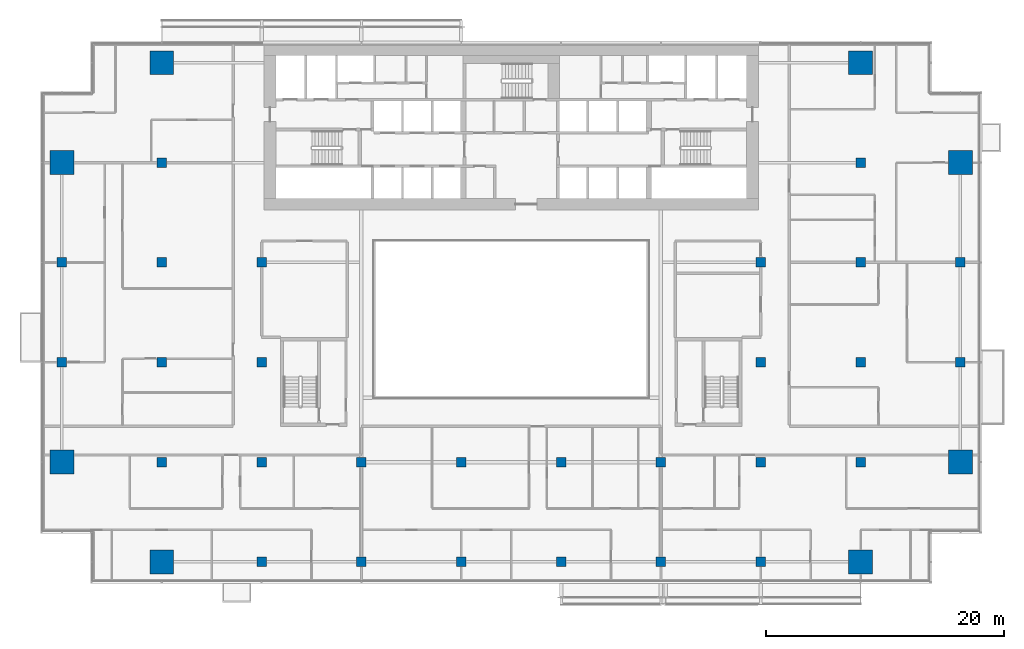
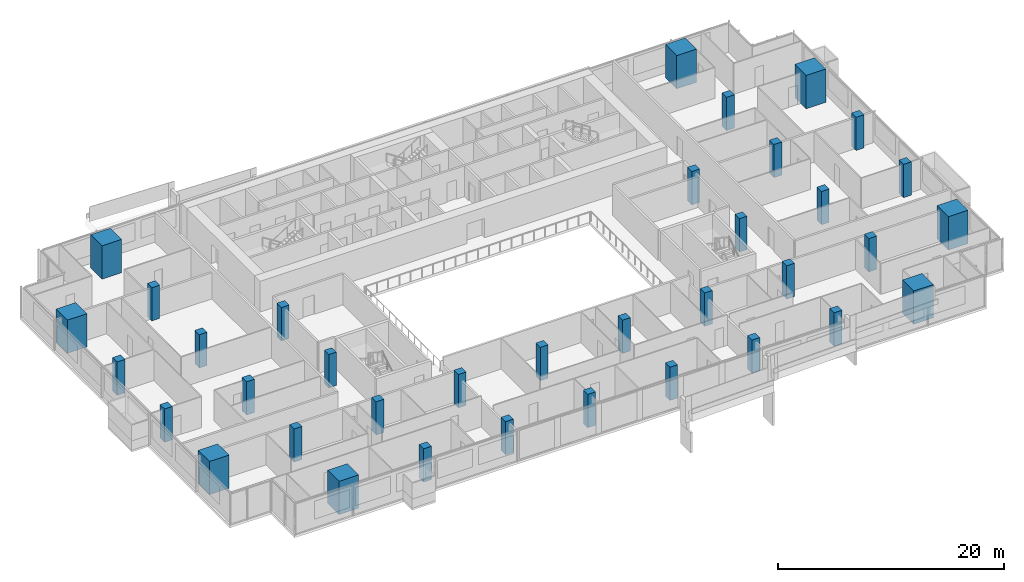
# One storey, part 1 of 27: 36 columns.
"""IFC4 building model written with IfcOpenShell, lengths in metres."""

from ifc_helpers import new_model, si_unit, direction, frame, origin, origin_2d, place, context, subcontext, project, spatial, rectangle, extrude, material, material_profile, profile_set, type_object, element, save


model = new_model("IFC4")

# Units and contexts
model_context = context("Model", 3, precision=1e-05, world=origin(), true_north=direction((0.0, 1.0)))
body_context = subcontext(model_context, "Body", "Model", "MODEL_VIEW")
ifc_project = project(units=[si_unit("LENGTHUNIT", "METRE"), si_unit("AREAUNIT", "SQUARE_METRE"), si_unit("VOLUMEUNIT", "CUBIC_METRE"), si_unit("PLANEANGLEUNIT", "RADIAN"), si_unit("MASSUNIT", "GRAM", prefix="KILO")], contexts=[model_context])

# Site, building, storey
site_placement = place(None, origin())
site = spatial("IfcSite", under=ifc_project, at=site_placement, CompositionType="ELEMENT")
building_placement = place(site_placement, origin())
building = spatial("IfcBuilding", under=site, at=building_placement, Name="Saffron Gate Tower", CompositionType="ELEMENT")
storey_placement = place(building_placement, frame((0.0, 0.0, 124.050048828125)))
storey = spatial("IfcBuildingStorey", under=building, at=storey_placement, Name="L29", CompositionType="ELEMENT", Elevation=124.050048828125)

# Columns
ifc_material_1 = material(Name="Concrete C60", Category="concrete")
ifc_material_profile_1 = material_profile(ifc_material_1, rectangle(XDim=0.800048828125, YDim=0.800048828125, at=origin_2d()))
ifc_profile_set_1 = profile_set([ifc_material_profile_1], Name="Concrete C60")
column_type_1 = type_object("IfcColumnType", Name="C5 RC 800x800 CONCRETE C60", PredefinedType="COLUMN", material=ifc_profile_set_1)
for number, where, z_axis, x_axis, name in (
    (1, (49.800048828125, 48.60009765625, 0.0), (0.0, 0.0, 1.0), (1.0, 0.0, 0.0), "C5 COLUMN X1-C"),
    (2, (49.800048828125, 57.0, 0.0), (0.0, 0.0, 1.0), (1.0, 0.0, 0.0), "C5 COLUMN X1-D"),
    (3, (58.199951171875, 40.199951171875, 0.0), (0.0, 0.0, 1.0), (1.0, 0.0, 0.0), "C5 COLUMN X2-B"),
    (4, (58.199951171875, 48.60009765625, 0.0), (0.0, 0.0, 1.0), (1.0, 0.0, 0.0), "C5 COLUMN X2-C"),
    (5, (58.199951171875, 57.0, 0.0), (0.0, 0.0, 1.0), (1.0, 0.0, 0.0), "C5 COLUMN X2-D"),
    (6, (58.199951171875, 65.39990234375, 0.0), (0.0, 0.0, 1.0), (1.0, 0.0, 0.0), "C5 COLUMN X2-E"),
    (7, (66.60009765625, 31.800048828125, 0.0), (0.0, 0.0, 1.0), (1.0, 0.0, 0.0), "C5 COLUMN X3-A"),
    (8, (66.60009765625, 40.199951171875, 0.0), (0.0, 0.0, 1.0), (1.0, 0.0, 0.0), "C5 COLUMN X3-B"),
    (9, (66.60009765625, 48.60009765625, 0.0), (0.0, 0.0, 1.0), (1.0, 0.0, 0.0), "C5 COLUMN X3-C"),
    (10, (66.60009765625, 57.0, 0.0), (0.0, 0.0, 1.0), (1.0, 0.0, 0.0), "C5 COLUMN X3-D"),
    (11, (75.0, 31.800048828125, 0.0), (0.0, 0.0, 1.0), (1.0, 0.0, 0.0), "C5 COLUMN X4-A"),
    (12, (75.0, 40.199951171875, 0.0), (0.0, 0.0, 1.0), (1.0, 0.0, 0.0), "C5 COLUMN X4-B"),
    (13, (83.39990234375, 31.800048828125, 0.0), (0.0, 0.0, 1.0), (1.0, 0.0, 0.0), "C5 COLUMN X5-A"),
    (14, (83.39990234375, 40.199951171875, 0.0), (0.0, 0.0, 1.0), (1.0, 0.0, 0.0), "C5 COLUMN X5-B"),
    (15, (91.800048828125, 31.800048828125, 0.0), (0.0, 0.0, 1.0), (1.0, 0.0, 0.0), "C5 COLUMN X6-A"),
    (16, (91.800048828125, 40.199951171875, 0.0), (0.0, 0.0, 1.0), (1.0, 0.0, 0.0), "C5 COLUMN X6-B"),
    (17, (100.199951171875, 31.800048828125, 0.0), (0.0, 0.0, 1.0), (1.0, 0.0, 0.0), "C5 COLUMN X7-A"),
    (18, (100.199951171875, 40.199951171875, 0.0), (0.0, 0.0, 1.0), (1.0, 0.0, 0.0), "C5 COLUMN X7-B"),
    (19, (108.60009765625, 31.800048828125, 0.0), (0.0, 0.0, 1.0), (1.0, 0.0, 0.0), "C5 COLUMN X8-A"),
    (20, (108.60009765625, 40.199951171875, 0.0), (0.0, 0.0, 1.0), (1.0, 0.0, 0.0), "C5 COLUMN X8-B"),
    (21, (108.60009765625, 48.60009765625, 0.0), (0.0, 0.0, 1.0), (1.0, 0.0, 0.0), "C5 COLUMN X8-C"),
    (22, (108.60009765625, 57.0, 0.0), (0.0, 0.0, 1.0), (1.0, 0.0, 0.0), "C5 COLUMN X8-D"),
    (23, (117.0, 40.199951171875, 0.0), (0.0, 0.0, 1.0), (1.0, 0.0, 0.0), "C5 COLUMN X9-B"),
    (24, (117.0, 48.60009765625, 0.0), (0.0, 0.0, 1.0), (1.0, 0.0, 0.0), "C5 COLUMN X9-C"),
    (25, (117.0, 57.0, 0.0), (0.0, 0.0, 1.0), (1.0, 0.0, 0.0), "C5 COLUMN X9-D"),
    (26, (117.0, 65.39990234375, 0.0), (0.0, 0.0, 1.0), (1.0, 0.0, 0.0), "C5 COLUMN X9-E"),
    (27, (125.39990234375, 48.60009765625, 0.0), (0.0, 0.0, 1.0), (1.0, 0.0, 0.0), "C5 COLUMN X10-C"),
    (28, (125.39990234375, 57.0, 0.0), (0.0, 0.0, 1.0), (1.0, 0.0, 0.0), "C5 COLUMN X10-D"),
):
    element("IfcColumn", number, at=place(storey_placement, frame(where, z_axis=z_axis, x_axis=x_axis)), inside=storey, type_object=column_type_1, Name=name, PredefinedType="COLUMN", context=body_context, shape_type="SweptSolid", body=[
        extrude(rectangle(XDim=0.800048828125, YDim=0.800048828125, at=origin_2d()), origin(), (0.0, 0.0, 1.0), 3.599853515625),
    ])
ifc_material_2 = material(Name="Concrete C80", Category="concrete")
ifc_material_profile_2 = material_profile(ifc_material_2, rectangle(XDim=2.0, YDim=2.0, at=origin_2d()))
ifc_profile_set_2 = profile_set([ifc_material_profile_2], Name="Concrete C80")
column_type_2 = type_object("IfcColumnType", Name="MC3 RC 2000x2000 CONCRETE C80", PredefinedType="COLUMN", material=ifc_profile_set_2)
for number, where, z_axis, x_axis, name in (
    (29, (49.800048828125, 40.199951171875, 0.0), (0.0, 0.0, 1.0), (1.0, 0.0, 0.0), "MC3 MEGA COLUMN X1-B"),
    (30, (49.800048828125, 65.39990234375, 0.0), (0.0, 0.0, 1.0), (1.0, 0.0, 0.0), "MC3 MEGA COLUMN X1-E"),
    (31, (58.199951171875, 31.800048828125, 0.0), (0.0, 0.0, 1.0), (1.0, 0.0, 0.0), "MC3 MEGA COLUMN X2-A"),
    (32, (58.199951171875, 73.800048828125, 0.0), (0.0, 0.0, 1.0), (1.0, 0.0, 0.0), "MC3 MEGA COLUMN X2-F"),
    (33, (117.0, 31.800048828125, 0.0), (0.0, 0.0, 1.0), (1.0, 0.0, 0.0), "MC3 MEGA COLUMN X9-A"),
    (34, (117.0, 73.800048828125, 0.0), (0.0, 0.0, 1.0), (1.0, 0.0, 0.0), "MC3 MEGA COLUMN X9-F"),
    (35, (125.39990234375, 40.199951171875, 0.0), (0.0, 0.0, 1.0), (1.0, 0.0, 0.0), "MC3 MEGA COLUMN X10-B"),
    (36, (125.39990234375, 65.39990234375, 0.0), (0.0, 0.0, 1.0), (1.0, 0.0, 0.0), "MC3 MEGA COLUMN X10-E"),
):
    element("IfcColumn", number, at=place(storey_placement, frame(where, z_axis=z_axis, x_axis=x_axis)), inside=storey, type_object=column_type_2, Name=name, PredefinedType="COLUMN", context=body_context, shape_type="SweptSolid", body=[
        extrude(rectangle(XDim=2.0, YDim=2.0, at=origin_2d()), origin(), (0.0, 0.0, 1.0), 3.599853515625),
    ])

save(model, "model.ifc")
